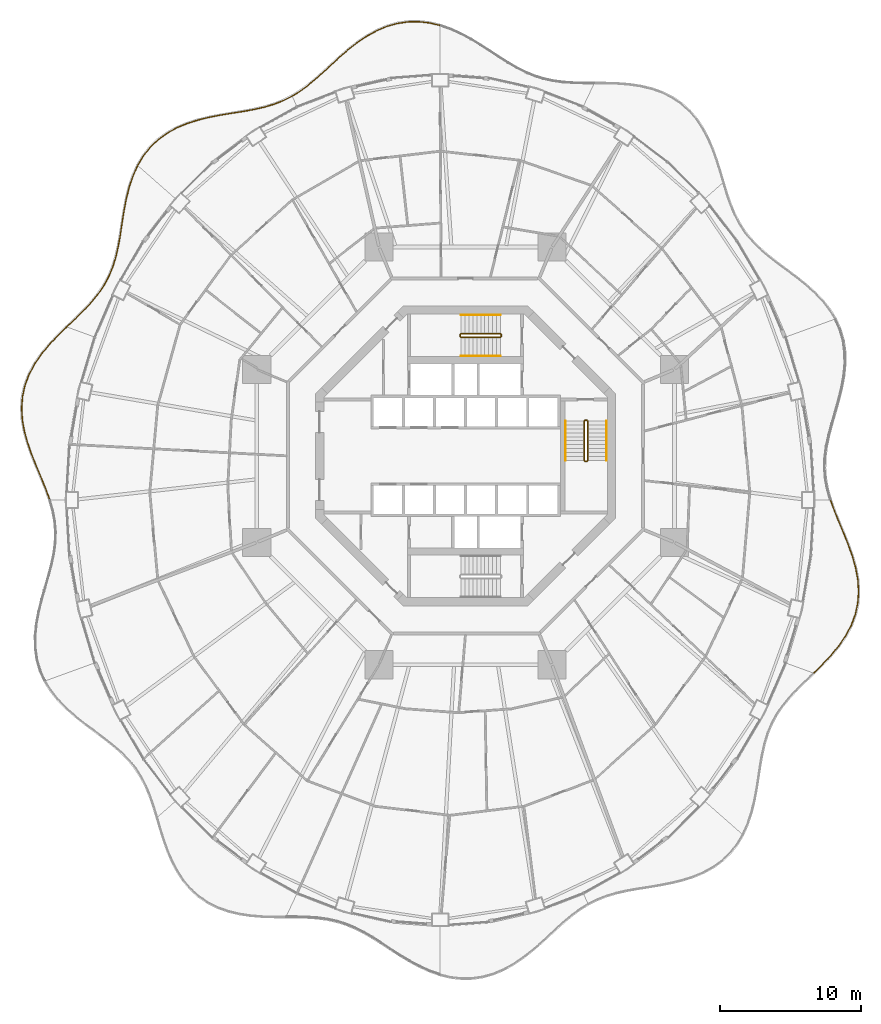
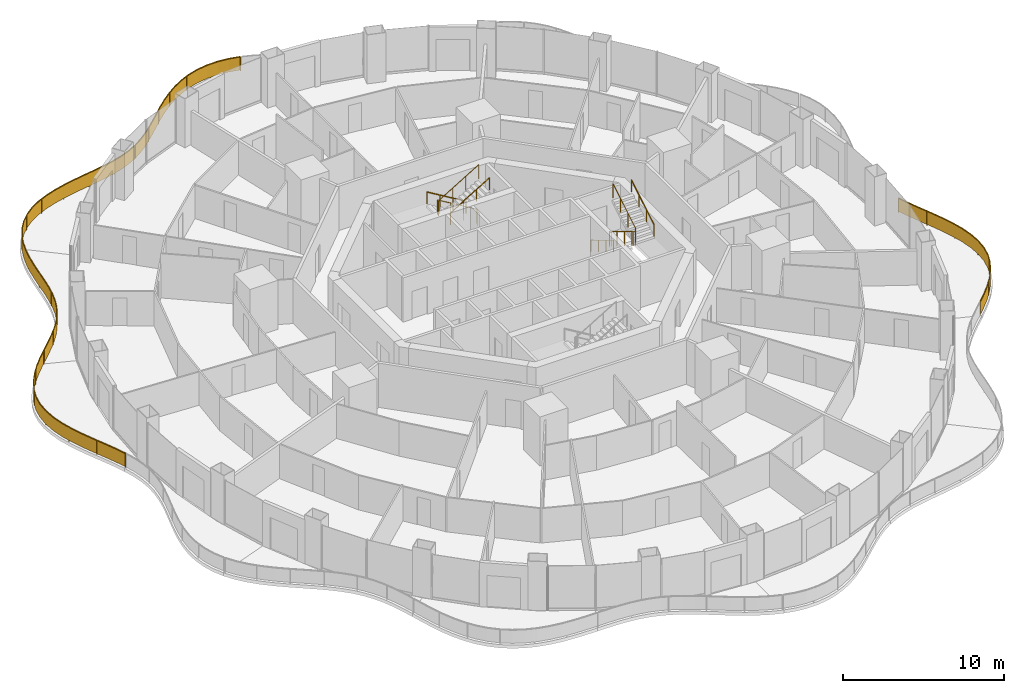
# One storey, part 20 of 21: 11 railings.
"""IFC4 building model written with IfcOpenShell, lengths in metres."""

from ifc_helpers import new_model, si_unit, direction, frame, origin, origin_2d, place, context, subcontext, project, spatial, polyline, rectangle, circle, outline, extrude, material, type_object, element, save


model = new_model("IFC4")

# Units and contexts
model_context = context("Model", 3, precision=1e-05, world=origin(), true_north=direction((0.0, 1.0)))
body_context = subcontext(model_context, "Body", "Model", "MODEL_VIEW")
ifc_project = project(units=[si_unit("LENGTHUNIT", "METRE"), si_unit("AREAUNIT", "SQUARE_METRE"), si_unit("VOLUMEUNIT", "CUBIC_METRE"), si_unit("PLANEANGLEUNIT", "RADIAN"), si_unit("MASSUNIT", "GRAM", prefix="KILO")], contexts=[model_context])

# Site, building, storey
site_placement = place(None, origin())
site = spatial("IfcSite", under=ifc_project, at=site_placement, CompositionType="ELEMENT")
building_placement = place(site_placement, origin())
building = spatial("IfcBuilding", under=site, at=building_placement, Name="Nagisa Residences", CompositionType="ELEMENT")
storey_placement = place(building_placement, frame((0.0, 0.0, 156.60009765625)))
storey = spatial("IfcBuildingStorey", under=building, at=storey_placement, Name="L39", CompositionType="ELEMENT", Elevation=156.60009765625)

# Railings
ifc_material_1 = material(Name="Stainless steel 316", Category="steel")
railing_type_1 = type_object("IfcRailingType", Name="BALCONY GUARD 1100", PredefinedType="BALUSTRADE", material=ifc_material_1)
railing_1_placement = place(storey_placement, frame((-1.837646484375, 30.465576171875, 0.0)))
element("IfcRailing", 1, at=railing_1_placement, inside=storey, type_object=railing_type_1, Name="guard:L39:bal04-0", PredefinedType="BALUSTRADE", context=body_context, shape_type="SweptSolid", body=[
    extrude(outline(polyline([(-0.717529296875, 0.14599609375), (-0.005859375, -0.0244140625), (0.005859375, 0.0244140625), (-0.708740234375, 0.1953125), (-1.4775390625, 0.28271484375), (-2.245361328125, 0.270263671875), (-3.0048828125, 0.156982421875), (-3.74658203125, -0.054443359375), (-4.451904296875, -0.3544921875), (-5.146484375, -0.736328125), (-5.812255859375, -1.182861328125), (-6.448486328125, -1.677001953125), (-7.05712890625, -2.199951171875), (-7.6259765625, -2.72802734375), (-8.19384765625, -3.253173828125), (-8.75244140625, -3.754150390625), (-9.3095703125, -4.217529296875), (-9.874267578125, -4.6328125), (-10.4189453125, -4.972412109375), (-10.392578125, -5.014892578125), (-9.845947265625, -4.67431640625), (-9.27880859375, -4.257080078125), (-8.7197265625, -3.792236328125), (-8.16015625, -3.290283203125), (-7.591796875, -2.7646484375), (-7.02392578125, -2.237060546875), (-6.416748046875, -1.715576171875), (-5.782958984375, -1.223388671875), (-5.12060546875, -0.779296875), (-4.429931640625, -0.3994140625), (-3.72998046875, -0.101806640625), (-2.994140625, 0.108154296875), (-2.241455078125, 0.220458984375), (-1.47998046875, 0.232421875), (-0.717529296875, 0.14599609375)])), frame((0.0, 0.0, 1.050048828125)), (0.0, 0.0, 1.0), 0.050048828125),
    extrude(outline(polyline([(-0.71435546875, 0.163818359375), (-0.001708984375, -0.0068359375), (0.001708984375, 0.0068359375), (-0.7119140625, 0.177490234375), (-1.478515625, 0.2646484375), (-2.243896484375, 0.25244140625), (-3.0009765625, 0.139404296875), (-3.74072265625, -0.071533203125), (-4.444091796875, -0.37060546875), (-5.13720703125, -0.751708984375), (-5.8017578125, -1.197509765625), (-6.43701171875, -1.69091796875), (-7.045166015625, -2.21337890625), (-7.613525390625, -2.7412109375), (-8.181640625, -3.2666015625), (-8.74072265625, -3.767822265625), (-9.298583984375, -4.231689453125), (-9.864013671875, -4.647705078125), (-10.409423828125, -4.98779296875), (-10.402099609375, -4.99951171875), (-9.856201171875, -4.659423828125), (-9.289794921875, -4.242919921875), (-8.7314453125, -3.778564453125), (-8.17236328125, -3.27685546875), (-7.604248046875, -2.75146484375), (-7.035888671875, -2.2236328125), (-6.42822265625, -1.70166015625), (-5.79345703125, -1.208740234375), (-5.1298828125, -0.763916015625), (-4.437744140625, -0.38330078125), (-3.73583984375, -0.084716796875), (-2.998046875, 0.125732421875), (-2.242919921875, 0.23828125), (-1.47900390625, 0.25048828125), (-0.71435546875, 0.163818359375)])), frame((0.0, 0.0, 0.06005859375)), (0.0, 0.0, 1.0), 0.989990234375),
    extrude(rectangle(XDim=0.0400390625, YDim=0.0400390625, at=origin_2d()), origin(), (0.0, 0.0, 1.0), 1.050048828125),
    extrude(rectangle(XDim=0.0400390625, YDim=0.0400390625, at=origin_2d()), frame((-1.996826171875, 0.249267578125, 0.0)), (0.0, 0.0, 1.0), 1.050048828125),
    extrude(rectangle(XDim=0.0400390625, YDim=0.0400390625, at=origin_2d()), frame((-3.961669921875, -0.173095703125, 0.0)), (0.0, 0.0, 1.0), 1.050048828125),
    extrude(rectangle(XDim=0.0400390625, YDim=0.0400390625, at=origin_2d()), frame((-5.723876953125, -1.15380859375, 0.0)), (0.0, 0.0, 1.0), 1.050048828125),
    extrude(rectangle(XDim=0.0400390625, YDim=0.0400390625, at=origin_2d()), frame((-7.28076171875, -2.441650390625, 0.0)), (0.0, 0.0, 1.0), 1.050048828125),
    extrude(rectangle(XDim=0.0400390625, YDim=0.0400390625, at=origin_2d()), frame((-8.77392578125, -3.8046875, 0.0)), (0.0, 0.0, 1.0), 1.050048828125),
    extrude(rectangle(XDim=0.0400390625, YDim=0.0400390625, at=origin_2d()), frame((-10.40576171875, -4.99365234375, 0.0)), (0.0, 0.0, 1.0), 1.050048828125),
])
railing_2_placement = place(storey_placement, frame((-12.302978515625, 25.4375, 0.0)))
element("IfcRailing", 2, at=railing_2_placement, inside=storey, type_object=railing_type_1, Name="guard:L39:bal05-0", PredefinedType="BALUSTRADE", context=body_context, shape_type="SweptSolid", body=[
    extrude(outline(polyline([(-0.58056640625, -0.31982421875), (0.01123046875, -0.0224609375), (-0.01123046875, 0.0224609375), (-0.60107421875, -0.27392578125), (-1.25927734375, -0.53125), (-1.952880859375, -0.7373046875), (-2.68212890625, -0.902587890625), (-3.443603515625, -1.041015625), (-4.21826171875, -1.15966796875), (-5.02392578125, -1.2939453125), (-5.83544921875, -1.45166015625), (-6.638916015625, -1.64892578125), (-7.419677734375, -1.900146484375), (-8.1513671875, -2.205322265625), (-8.844970703125, -2.59326171875), (-9.4755859375, -3.057373046875), (-10.035400390625, -3.596923828125), (-10.518310546875, -4.2080078125), (-10.897216796875, -4.842041015625), (-10.854248046875, -4.867919921875), (-10.476806640625, -4.236328125), (-9.998291015625, -3.630615234375), (-9.443359375, -3.095947265625), (-8.817626953125, -2.63525390625), (-8.12939453125, -2.250244140625), (-7.402587890625, -1.947021484375), (-6.625244140625, -1.697265625), (-5.82470703125, -1.50048828125), (-5.01513671875, -1.34326171875), (-4.21044921875, -1.208984375), (-3.435302734375, -1.09033203125), (-2.671875, -0.951416015625), (-1.940185546875, -0.78564453125), (-1.2431640625, -0.57861328125), (-0.58056640625, -0.31982421875)])), frame((0.0, 0.0, 1.050048828125)), (0.0, 0.0, 1.0), 0.050048828125),
    extrude(outline(polyline([(-0.587890625, -0.30322265625), (0.003173828125, -0.00634765625), (-0.003173828125, 0.00634765625), (-0.59375, -0.29052734375), (-1.25341796875, -0.54833984375), (-1.9482421875, -0.754638671875), (-2.678466796875, -0.920166015625), (-3.440673828125, -1.058837890625), (-4.215576171875, -1.177490234375), (-5.020751953125, -1.311767578125), (-5.83154296875, -1.46923828125), (-6.634033203125, -1.666259765625), (-7.41357421875, -1.9169921875), (-8.1435546875, -2.221435546875), (-8.835205078125, -2.6083984375), (-9.464111328125, -3.0712890625), (-10.02197265625, -3.609130859375), (-10.50341796875, -4.21826171875), (-10.8818359375, -4.851318359375), (-10.86962890625, -4.858642578125), (-10.49169921875, -4.22607421875), (-10.01171875, -3.618408203125), (-9.454833984375, -3.08203125), (-8.827392578125, -2.6201171875), (-8.13720703125, -2.234130859375), (-7.40869140625, -1.93017578125), (-6.630126953125, -1.679931640625), (-5.82861328125, -1.48291015625), (-5.018310546875, -1.325439453125), (-4.213134765625, -1.191162109375), (-3.438232421875, -1.072509765625), (-2.675537109375, -0.933837890625), (-1.94482421875, -0.768310546875), (-1.2490234375, -0.5615234375), (-0.587890625, -0.30322265625)])), frame((0.0, 0.0, 0.06005859375)), (0.0, 0.0, 1.0), 0.989990234375),
    extrude(rectangle(XDim=0.0400390625, YDim=0.0400390625, at=origin_2d()), origin(), (0.0, 0.0, 1.0), 1.050048828125),
    extrude(rectangle(XDim=0.0400390625, YDim=0.0400390625, at=origin_2d()), frame((-1.908935546875, -0.750244140625, 0.0)), (0.0, 0.0, 1.0), 1.050048828125),
    extrude(rectangle(XDim=0.0400390625, YDim=0.0400390625, at=origin_2d()), frame((-3.927001953125, -1.140380859375, 0.0)), (0.0, 0.0, 1.0), 1.050048828125),
    extrude(rectangle(XDim=0.0400390625, YDim=0.0400390625, at=origin_2d()), frame((-5.9501953125, -1.505615234375, 0.0)), (0.0, 0.0, 1.0), 1.050048828125),
    extrude(rectangle(XDim=0.0400390625, YDim=0.0400390625, at=origin_2d()), frame((-7.905517578125, -2.1298828125, 0.0)), (0.0, 0.0, 1.0), 1.050048828125),
    extrude(rectangle(XDim=0.0400390625, YDim=0.0400390625, at=origin_2d()), frame((-9.625244140625, -3.236572265625, 0.0)), (0.0, 0.0, 1.0), 1.050048828125),
    extrude(rectangle(XDim=0.0400390625, YDim=0.0400390625, at=origin_2d()), frame((-10.875732421875, -4.85498046875, 0.0)), (0.0, 0.0, 1.0), 1.050048828125),
])
railing_3_placement = place(storey_placement, frame((-23.2138671875, 20.513671875, 0.0)))
element("IfcRailing", 3, at=railing_3_placement, inside=storey, type_object=railing_type_1, Name="guard:L39:bal06-0", PredefinedType="BALUSTRADE", context=body_context, shape_type="SweptSolid", body=[
    extrude(outline(polyline([(-0.298583984375, -0.72900390625), (0.02294921875, -0.01025390625), (-0.02294921875, 0.01025390625), (-0.345458984375, -0.7109375), (-0.6142578125, -1.518310546875), (-0.82080078125, -2.353515625), (-0.9814453125, -3.199951171875), (-1.114990234375, -4.042724609375), (-1.2333984375, -4.855224609375), (-1.3740234375, -5.651611328125), (-1.546630859375, -6.412109375), (-1.767578125, -7.13232421875), (-2.048828125, -7.8125), (-2.390869140625, -8.442138671875), (-2.808837890625, -9.053955078125), (-3.29296875, -9.64306640625), (-3.83349609375, -10.21875), (-4.416259765625, -10.7919921875), (-4.9921875, -11.340087890625), (-4.95751953125, -11.376220703125), (-4.381591796875, -10.828125), (-3.7978515625, -10.25390625), (-3.25537109375, -9.67626953125), (-2.768798828125, -9.084228515625), (-2.347900390625, -8.468505859375), (-2.00341796875, -7.833984375), (-1.72021484375, -7.1494140625), (-1.498291015625, -6.4248046875), (-1.32470703125, -5.661376953125), (-1.18408203125, -4.863037109375), (-1.065673828125, -4.050048828125), (-0.93212890625, -3.208740234375), (-0.77197265625, -2.3642578125), (-0.56591796875, -1.532470703125), (-0.298583984375, -0.72900390625)])), frame((0.0, 0.0, 1.050048828125)), (0.0, 0.0, 1.0), 0.050048828125),
    extrude(outline(polyline([(-0.3154296875, -0.722412109375), (0.00634765625, -0.0029296875), (-0.00634765625, 0.0029296875), (-0.32861328125, -0.717529296875), (-0.596923828125, -1.5234375), (-0.80322265625, -2.357421875), (-0.963623046875, -3.203125), (-1.09716796875, -4.04541015625), (-1.215576171875, -4.85791015625), (-1.356201171875, -5.655029296875), (-1.529296875, -6.416748046875), (-1.75048828125, -7.138427734375), (-2.032470703125, -7.8203125), (-2.375244140625, -8.45166015625), (-2.79443359375, -9.06494140625), (-3.279541015625, -9.655029296875), (-3.82080078125, -10.2314453125), (-4.40380859375, -10.804931640625), (-4.979736328125, -11.35302734375), (-4.969970703125, -11.36328125), (-4.39404296875, -10.815185546875), (-3.810546875, -10.2412109375), (-3.268798828125, -9.664306640625), (-2.783203125, -9.0732421875), (-2.363525390625, -8.458984375), (-2.019775390625, -7.826171875), (-1.7373046875, -7.143310546875), (-1.515625, -6.420166015625), (-1.342529296875, -5.657958984375), (-1.201904296875, -4.8603515625), (-1.08349609375, -4.04736328125), (-0.949951171875, -3.20556640625), (-0.78955078125, -2.3603515625), (-0.583251953125, -1.52734375), (-0.3154296875, -0.722412109375)])), frame((0.0, 0.0, 0.06005859375)), (0.0, 0.0, 1.0), 0.989990234375),
    extrude(rectangle(XDim=0.0400390625, YDim=0.0400390625, at=origin_2d()), origin(), (0.0, 0.0, 1.0), 1.050048828125),
    extrude(rectangle(XDim=0.0400390625, YDim=0.0400390625, at=origin_2d()), frame((-0.70703125, -1.998046875, 0.0)), (0.0, 0.0, 1.0), 1.050048828125),
    extrude(rectangle(XDim=0.0400390625, YDim=0.0400390625, at=origin_2d()), frame((-1.095947265625, -4.085693359375, 0.0)), (0.0, 0.0, 1.0), 1.050048828125),
    extrude(rectangle(XDim=0.0400390625, YDim=0.0400390625, at=origin_2d()), frame((-1.467529296875, -6.176513671875, 0.0)), (0.0, 0.0, 1.0), 1.050048828125),
    extrude(rectangle(XDim=0.0400390625, YDim=0.0400390625, at=origin_2d()), frame((-2.20849609375, -8.1591796875, 0.0)), (0.0, 0.0, 1.0), 1.050048828125),
    extrude(rectangle(XDim=0.0400390625, YDim=0.0400390625, at=origin_2d()), frame((-3.465576171875, -9.863525390625, 0.0)), (0.0, 0.0, 1.0), 1.050048828125),
    extrude(rectangle(XDim=0.0400390625, YDim=0.0400390625, at=origin_2d()), frame((-4.974853515625, -11.358154296875, 0.0)), (0.0, 0.0, 1.0), 1.050048828125),
])
railing_4_placement = place(storey_placement, frame((-28.24462890625, 9.103515625, 0.0)))
element("IfcRailing", 4, at=railing_4_placement, inside=storey, type_object=railing_type_1, Name="guard:L39:bal07-0", PredefinedType="BALUSTRADE", context=body_context, shape_type="SweptSolid", body=[
    extrude(outline(polyline([(-0.580078125, -0.600830078125), (0.017578125, -0.017822265625), (-0.017578125, 0.017822265625), (-0.61572265625, -0.565673828125), (-1.221435546875, -1.20849609375), (-1.779541015625, -1.883056640625), (-2.2666015625, -2.5927734375), (-2.6630859375, -3.337890625), (-2.950439453125, -4.101806640625), (-3.12646484375, -4.906982421875), (-3.186279296875, -5.732666015625), (-3.134521484375, -6.5712890625), (-2.983154296875, -7.414306640625), (-2.748291015625, -8.240234375), (-2.455078125, -9.0703125), (-2.127197265625, -9.886474609375), (-1.791015625, -10.685791015625), (-1.47265625, -11.468505859375), (-1.20849609375, -12.19580078125), (-1.16162109375, -12.1787109375), (-1.42578125, -11.450439453125), (-1.74462890625, -10.666748046875), (-2.080810546875, -9.867431640625), (-2.408203125, -9.052734375), (-2.700439453125, -8.22509765625), (-2.934326171875, -7.403076171875), (-3.084716796875, -6.5654296875), (-3.135986328125, -5.733154296875), (-3.07666015625, -4.914306640625), (-2.902099609375, -4.115966796875), (-2.6171875, -3.3583984375), (-2.2236328125, -2.61865234375), (-1.739501953125, -1.913330078125), (-1.183837890625, -1.24169921875), (-0.580078125, -0.600830078125)])), frame((0.0, 0.0, 1.050048828125)), (0.0, 0.0, 1.0), 0.050048828125),
    extrude(outline(polyline([(-0.593017578125, -0.588134765625), (0.0048828125, -0.005126953125), (-0.0048828125, 0.005126953125), (-0.602783203125, -0.578369140625), (-1.2080078125, -1.220458984375), (-1.76513671875, -1.89404296875), (-2.251220703125, -2.60205078125), (-2.646484375, -3.34521484375), (-2.93310546875, -4.10693359375), (-3.1083984375, -4.90966796875), (-3.168212890625, -5.73291015625), (-3.11669921875, -6.569091796875), (-2.965576171875, -7.41015625), (-2.73095703125, -8.23486328125), (-2.438232421875, -9.06396484375), (-2.110595703125, -9.879638671875), (-1.774169921875, -10.678955078125), (-1.455810546875, -11.4619140625), (-1.191650390625, -12.189697265625), (-1.178466796875, -12.184814453125), (-1.442626953125, -11.45703125), (-1.761474609375, -10.673583984375), (-2.097412109375, -9.874267578125), (-2.425048828125, -9.05908203125), (-2.7177734375, -8.23046875), (-2.951904296875, -7.4072265625), (-3.1025390625, -6.567626953125), (-3.154052734375, -5.73291015625), (-3.0947265625, -4.91162109375), (-2.91943359375, -4.11083984375), (-2.6337890625, -3.35107421875), (-2.239013671875, -2.609375), (-1.75390625, -1.90234375), (-1.197265625, -1.229736328125), (-0.593017578125, -0.588134765625)])), frame((0.0, 0.0, 0.06005859375)), (0.0, 0.0, 1.0), 0.989990234375),
    extrude(rectangle(XDim=0.0400390625, YDim=0.0400390625, at=origin_2d()), origin(), (0.0, 0.0, 1.0), 1.050048828125),
    extrude(rectangle(XDim=0.0400390625, YDim=0.0400390625, at=origin_2d()), frame((-1.546630859375, -1.640869140625, 0.0)), (0.0, 0.0, 1.0), 1.050048828125),
    extrude(rectangle(XDim=0.0400390625, YDim=0.0400390625, at=origin_2d()), frame((-2.71875, -3.557373046875, 0.0)), (0.0, 0.0, 1.0), 1.050048828125),
    extrude(rectangle(XDim=0.0400390625, YDim=0.0400390625, at=origin_2d()), frame((-3.15966796875, -5.755126953125, 0.0)), (0.0, 0.0, 1.0), 1.050048828125),
    extrude(rectangle(XDim=0.0400390625, YDim=0.0400390625, at=origin_2d()), frame((-2.7978515625, -7.974365234375, 0.0)), (0.0, 0.0, 1.0), 1.050048828125),
    extrude(rectangle(XDim=0.0400390625, YDim=0.0400390625, at=origin_2d()), frame((-2.0146484375, -10.089111328125, 0.0)), (0.0, 0.0, 1.0), 1.050048828125),
    extrude(rectangle(XDim=0.0400390625, YDim=0.0400390625, at=origin_2d()), frame((-1.18505859375, -12.187255859375, 0.0)), (0.0, 0.0, 1.0), 1.050048828125),
])
railing_5_placement = place(storey_placement, frame((24.644775390625, -15.3388671875, 0.0)))
element("IfcRailing", 5, at=railing_5_placement, inside=storey, type_object=railing_type_1, Name="guard:L39:bal15-0", PredefinedType="BALUSTRADE", context=body_context, shape_type="SweptSolid", body=[
    extrude(outline(polyline([(0.579833984375, 0.600830078125), (-0.017578125, 0.017822265625), (0.017578125, -0.017822265625), (0.615478515625, 0.565673828125), (1.221435546875, 1.208251953125), (1.779296875, 1.883056640625), (2.2666015625, 2.5927734375), (2.662841796875, 3.337646484375), (2.9501953125, 4.101806640625), (3.126220703125, 4.906982421875), (3.18603515625, 5.732666015625), (3.13427734375, 6.5712890625), (2.98291015625, 7.414306640625), (2.748046875, 8.240234375), (2.454833984375, 9.0703125), (2.126953125, 9.886474609375), (1.790771484375, 10.685791015625), (1.472412109375, 11.468505859375), (1.208251953125, 12.19580078125), (1.161376953125, 12.1787109375), (1.425537109375, 11.450439453125), (1.744384765625, 10.666748046875), (2.08056640625, 9.867431640625), (2.407958984375, 9.052734375), (2.7001953125, 8.22509765625), (2.93408203125, 7.403076171875), (3.08447265625, 6.5654296875), (3.1357421875, 5.733154296875), (3.076416015625, 4.914306640625), (2.90185546875, 4.115966796875), (2.616943359375, 3.358154296875), (2.2236328125, 2.61865234375), (1.7392578125, 1.913330078125), (1.183837890625, 1.241455078125), (0.579833984375, 0.600830078125)])), frame((0.0, 0.0, 1.050048828125)), (0.0, 0.0, 1.0), 0.050048828125),
    extrude(outline(polyline([(0.5927734375, 0.588134765625), (-0.0048828125, 0.005126953125), (0.0048828125, -0.005126953125), (0.6025390625, 0.578369140625), (1.2080078125, 1.22021484375), (1.764892578125, 1.89404296875), (2.251220703125, 2.60205078125), (2.646240234375, 3.344970703125), (2.932861328125, 4.10693359375), (3.108154296875, 4.90966796875), (3.16796875, 5.73291015625), (3.116455078125, 6.569091796875), (2.96533203125, 7.41015625), (2.730712890625, 8.23486328125), (2.43798828125, 9.06396484375), (2.1103515625, 9.879638671875), (1.77392578125, 10.678955078125), (1.45556640625, 11.4619140625), (1.19140625, 12.189697265625), (1.17822265625, 12.184814453125), (1.4423828125, 11.45703125), (1.76123046875, 10.673583984375), (2.09716796875, 9.874267578125), (2.4248046875, 9.05908203125), (2.717529296875, 8.23046875), (2.95166015625, 7.4072265625), (3.102294921875, 6.567626953125), (3.15380859375, 5.73291015625), (3.094482421875, 4.91162109375), (2.919189453125, 4.11083984375), (2.633544921875, 3.350830078125), (2.239013671875, 2.609375), (1.753662109375, 1.90234375), (1.197265625, 1.2294921875), (0.5927734375, 0.588134765625)])), frame((0.0, 0.0, 0.06005859375)), (0.0, 0.0, 1.0), 0.989990234375),
    extrude(rectangle(XDim=0.0400390625, YDim=0.0400390625, at=origin_2d()), origin(), (0.0, 0.0, 1.0), 1.050048828125),
    extrude(rectangle(XDim=0.0400390625, YDim=0.0400390625, at=origin_2d()), frame((1.54638671875, 1.640869140625, 0.0)), (0.0, 0.0, 1.0), 1.050048828125),
    extrude(rectangle(XDim=0.0400390625, YDim=0.0400390625, at=origin_2d()), frame((2.71875, 3.557373046875, 0.0)), (0.0, 0.0, 1.0), 1.050048828125),
    extrude(rectangle(XDim=0.0400390625, YDim=0.0400390625, at=origin_2d()), frame((3.159423828125, 5.755126953125, 0.0)), (0.0, 0.0, 1.0), 1.050048828125),
    extrude(rectangle(XDim=0.0400390625, YDim=0.0400390625, at=origin_2d()), frame((2.797607421875, 7.974365234375, 0.0)), (0.0, 0.0, 1.0), 1.050048828125),
    extrude(rectangle(XDim=0.0400390625, YDim=0.0400390625, at=origin_2d()), frame((2.014404296875, 10.089111328125, 0.0)), (0.0, 0.0, 1.0), 1.050048828125),
    extrude(rectangle(XDim=0.0400390625, YDim=0.0400390625, at=origin_2d()), frame((1.184814453125, 12.187255859375, 0.0)), (0.0, 0.0, 1.0), 1.050048828125),
])
ifc_material_2 = material(Name="Stainless steel", Category="steel")
railing_type_2 = type_object("IfcRailingType", Name="Stair guard 1100", PredefinedType="GUARDRAIL", material=ifc_material_2)
railing_6_placement = place(storey_placement, frame((8.599609375, 2.52490234375, 0.0)))
element("IfcRailing", 6, at=railing_6_placement, inside=storey, type_object=railing_type_2, Name="L39 ST-E stair guard 1", PredefinedType="GUARDRAIL", context=body_context, shape_type="SweptSolid", body=[
    extrude(circle(Radius=0.02392578125, at=origin_2d()), frame((0.0, 0.0, 1.076171875), z_axis=(-1.0, 0.0, 0.0), x_axis=(0.0, -1.0, 0.0)), (0.0, 0.0, 1.0), 0.14990234375),
    extrude(circle(Radius=0.02392578125, at=origin_2d()), frame((-0.14990234375, 0.0, 1.076171875), z_axis=(-0.274683208305, -0.273343290215, 0.921863645432), x_axis=(0.705375805398, -0.708833529934, 0.0)), (0.0, 0.0, 1.0), 0.18212890625),
    extrude(circle(Radius=0.02392578125, at=origin_2d()), frame((-0.199951171875, -0.0498046875, 1.244140625), z_axis=(0.0, -0.857242210791, 0.514913383045), x_axis=(1.0, 0.0, 0.0)), (0.0, 0.0, 1.0), 3.266357421875),
    extrude(circle(Radius=0.02392578125, at=origin_2d()), frame((-0.199951171875, -2.849853515625, 2.92578125), z_axis=(0.707106781187, -0.707106781187, 0.0), x_axis=(0.707106781187, 0.707106781187, 0.0)), (0.0, 0.0, 1.0), 0.07080078125),
    extrude(circle(Radius=0.02392578125, at=origin_2d()), frame((-0.14990234375, -2.89990234375, 2.92578125), z_axis=(1.0, 0.0, 0.0), x_axis=(0.0, 1.0, 0.0)), (0.0, 0.0, 1.0), 0.14990234375),
    extrude(circle(Radius=0.02392578125, at=origin_2d()), frame((0.0, -2.89990234375, 2.92578125), z_axis=(0.274243871929, 0.274243871929, 0.92172696468), x_axis=(-0.707106781187, 0.707106781187, 0.0)), (0.0, 0.0, 1.0), 0.1826171875),
    extrude(circle(Radius=0.02392578125, at=origin_2d()), frame((0.050048828125, -2.849853515625, 3.09423828125), z_axis=(0.0, 0.857242210791, 0.514913383045), x_axis=(-1.0, 0.0, 0.0)), (0.0, 0.0, 1.0), 3.266357421875),
    extrude(circle(Radius=0.02099609375, at=origin_2d()), origin(), (0.0, 0.0, 1.0), 1.052001953125),
    extrude(circle(Radius=0.02099609375, at=origin_2d()), frame((-0.14990234375, 0.0, 0.0)), (0.0, 0.0, 1.0), 1.052001953125),
    extrude(circle(Radius=0.02099609375, at=origin_2d()), frame((-0.199951171875, -0.0498046875, 0.16796875)), (0.0, 0.0, 1.0), 1.052001953125),
    extrude(circle(Radius=0.02099609375, at=origin_2d()), frame((-0.199951171875, -0.983154296875, 0.728515625)), (0.0, 0.0, 1.0), 1.052001953125),
    extrude(circle(Radius=0.02099609375, at=origin_2d()), frame((-0.199951171875, -1.91650390625, 1.289306640625)), (0.0, 0.0, 1.0), 1.052001953125),
    extrude(circle(Radius=0.02099609375, at=origin_2d()), frame((-0.199951171875, -2.849853515625, 1.849853515625)), (0.0, 0.0, 1.0), 1.052001953125),
    extrude(circle(Radius=0.02099609375, at=origin_2d()), frame((-0.14990234375, -2.89990234375, 1.849853515625)), (0.0, 0.0, 1.0), 1.052001953125),
    extrude(circle(Radius=0.02099609375, at=origin_2d()), frame((0.0, -2.89990234375, 1.849853515625)), (0.0, 0.0, 1.0), 1.052001953125),
    extrude(circle(Radius=0.02099609375, at=origin_2d()), frame((0.050048828125, -2.849853515625, 2.01806640625)), (0.0, 0.0, 1.0), 1.052001953125),
    extrude(circle(Radius=0.02099609375, at=origin_2d()), frame((0.050048828125, -1.91650390625, 2.57861328125)), (0.0, 0.0, 1.0), 1.052001953125),
    extrude(circle(Radius=0.02099609375, at=origin_2d()), frame((0.050048828125, -0.983154296875, 3.139404296875)), (0.0, 0.0, 1.0), 1.052001953125),
    extrude(circle(Radius=0.02099609375, at=origin_2d()), frame((0.050048828125, -0.0498046875, 3.699951171875)), (0.0, 0.0, 1.0), 1.052001953125),
])
railing_7_placement = place(storey_placement, frame((2.52490234375, 8.44970703125, 0.0)))
element("IfcRailing", 7, at=railing_7_placement, inside=storey, type_object=railing_type_2, Name="L39 ST-N stair guard 1", PredefinedType="GUARDRAIL", context=body_context, shape_type="SweptSolid", body=[
    extrude(circle(Radius=0.02392578125, at=origin_2d()), frame((0.0, 0.0, 1.076171875), z_axis=(0.0, 1.0, 0.0), x_axis=(-1.0, 0.0, 0.0)), (0.0, 0.0, 1.0), 0.14990234375),
    extrude(circle(Radius=0.02392578125, at=origin_2d()), frame((0.0, 0.14990234375, 1.076171875), z_axis=(-0.273343290215, 0.274683208305, 0.921863645432), x_axis=(-0.708833529934, -0.705375805398, 0.0)), (0.0, 0.0, 1.0), 0.18212890625),
    extrude(circle(Radius=0.02392578125, at=origin_2d()), frame((-0.0498046875, 0.199951171875, 1.244140625), z_axis=(-0.857242210791, 0.0, 0.514913383045), x_axis=(0.0, -1.0, 0.0)), (0.0, 0.0, 1.0), 3.266357421875),
    extrude(circle(Radius=0.02392578125, at=origin_2d()), frame((-2.849853515625, 0.199951171875, 2.92578125), z_axis=(-0.707106781187, -0.707106781187, 0.0), x_axis=(0.707106781187, -0.707106781187, 0.0)), (0.0, 0.0, 1.0), 0.07080078125),
    extrude(circle(Radius=0.02392578125, at=origin_2d()), frame((-2.89990234375, 0.14990234375, 2.92578125), z_axis=(0.0, -1.0, 0.0), x_axis=(1.0, 0.0, 0.0)), (0.0, 0.0, 1.0), 0.14990234375),
    extrude(circle(Radius=0.02392578125, at=origin_2d()), frame((-2.89990234375, 0.0, 2.92578125), z_axis=(0.274243871929, -0.274243871929, 0.92172696468), x_axis=(0.707106781187, 0.707106781187, 0.0)), (0.0, 0.0, 1.0), 0.1826171875),
    extrude(circle(Radius=0.02392578125, at=origin_2d()), frame((-2.849853515625, -0.050048828125, 3.09423828125), z_axis=(0.857242210791, 0.0, 0.514913383045), x_axis=(0.0, 1.0, 0.0)), (0.0, 0.0, 1.0), 3.266357421875),
    extrude(circle(Radius=0.02099609375, at=origin_2d()), origin(), (0.0, 0.0, 1.0), 1.052001953125),
    extrude(circle(Radius=0.02099609375, at=origin_2d()), frame((0.0, 0.14990234375, 0.0)), (0.0, 0.0, 1.0), 1.052001953125),
    extrude(circle(Radius=0.02099609375, at=origin_2d()), frame((-0.0498046875, 0.199951171875, 0.16796875)), (0.0, 0.0, 1.0), 1.052001953125),
    extrude(circle(Radius=0.02099609375, at=origin_2d()), frame((-0.983154296875, 0.199951171875, 0.728515625)), (0.0, 0.0, 1.0), 1.052001953125),
    extrude(circle(Radius=0.02099609375, at=origin_2d()), frame((-1.91650390625, 0.199951171875, 1.289306640625)), (0.0, 0.0, 1.0), 1.052001953125),
    extrude(circle(Radius=0.02099609375, at=origin_2d()), frame((-2.849853515625, 0.199951171875, 1.849853515625)), (0.0, 0.0, 1.0), 1.052001953125),
    extrude(circle(Radius=0.02099609375, at=origin_2d()), frame((-2.89990234375, 0.14990234375, 1.849853515625)), (0.0, 0.0, 1.0), 1.052001953125),
    extrude(circle(Radius=0.02099609375, at=origin_2d()), frame((-2.89990234375, 0.0, 1.849853515625)), (0.0, 0.0, 1.0), 1.052001953125),
    extrude(circle(Radius=0.02099609375, at=origin_2d()), frame((-2.849853515625, -0.050048828125, 2.01806640625)), (0.0, 0.0, 1.0), 1.052001953125),
    extrude(circle(Radius=0.02099609375, at=origin_2d()), frame((-1.91650390625, -0.050048828125, 2.57861328125)), (0.0, 0.0, 1.0), 1.052001953125),
    extrude(circle(Radius=0.02099609375, at=origin_2d()), frame((-0.983154296875, -0.050048828125, 3.139404296875)), (0.0, 0.0, 1.0), 1.052001953125),
    extrude(circle(Radius=0.02099609375, at=origin_2d()), frame((-0.0498046875, -0.050048828125, 3.699951171875)), (0.0, 0.0, 1.0), 1.052001953125),
])
ifc_material_3 = material(Name="Stainless steel", Category="steel")
railing_type_3 = type_object("IfcRailingType", Name="Stair handrail 900", PredefinedType="HANDRAIL", material=ifc_material_3)
railing_8_placement = place(storey_placement, frame((7.07470703125, 2.47509765625, 0.16796875)))
element("IfcRailing", 8, at=railing_8_placement, inside=storey, type_object=railing_type_3, Name="L39 ST-E stair handrail 1", PredefinedType="HANDRAIL", context=body_context, shape_type="SweptSolid", body=[
    extrude(circle(Radius=0.02392578125, at=origin_2d()), frame((0.0, 0.0, 0.8759765625), z_axis=(0.0, -0.857242210791, 0.514913383045), x_axis=(1.0, 0.0, 0.0)), (0.0, 0.0, 1.0), 3.266357421875),
    extrude(circle(Radius=0.02099609375, at=origin_2d()), origin(), (0.0, 0.0, 1.0), 0.851806640625),
    extrude(circle(Radius=0.02099609375, at=origin_2d()), frame((0.0, -0.933349609375, 0.560546875)), (0.0, 0.0, 1.0), 0.851806640625),
    extrude(circle(Radius=0.02099609375, at=origin_2d()), frame((0.0, -1.86669921875, 1.121337890625)), (0.0, 0.0, 1.0), 0.851806640625),
    extrude(circle(Radius=0.02099609375, at=origin_2d()), frame((0.0, -2.800048828125, 1.681884765625)), (0.0, 0.0, 1.0), 0.851806640625),
])
railing_9_placement = place(storey_placement, frame((9.974609375, -0.324951171875, 2.01806640625)))
element("IfcRailing", 9, at=railing_9_placement, inside=storey, type_object=railing_type_3, Name="L39 ST-E stair handrail 2", PredefinedType="HANDRAIL", context=body_context, shape_type="SweptSolid", body=[
    extrude(circle(Radius=0.02392578125, at=origin_2d()), frame((0.0, 0.0, 0.8759765625), z_axis=(0.0, 0.857242210791, 0.514913383045), x_axis=(-1.0, 0.0, 0.0)), (0.0, 0.0, 1.0), 3.266357421875),
    extrude(circle(Radius=0.02099609375, at=origin_2d()), origin(), (0.0, 0.0, 1.0), 0.851806640625),
    extrude(circle(Radius=0.02099609375, at=origin_2d()), frame((0.0, 0.933349609375, 0.560546875)), (0.0, 0.0, 1.0), 0.851806640625),
    extrude(circle(Radius=0.02099609375, at=origin_2d()), frame((0.0, 1.86669921875, 1.121337890625)), (0.0, 0.0, 1.0), 0.851806640625),
    extrude(circle(Radius=0.02099609375, at=origin_2d()), frame((0.0, 2.800048828125, 1.681884765625)), (0.0, 0.0, 1.0), 0.851806640625),
])
railing_10_placement = place(storey_placement, frame((2.47509765625, 9.974609375, 0.16796875)))
element("IfcRailing", 10, at=railing_10_placement, inside=storey, type_object=railing_type_3, Name="L39 ST-N stair handrail 1", PredefinedType="HANDRAIL", context=body_context, shape_type="SweptSolid", body=[
    extrude(circle(Radius=0.02392578125, at=origin_2d()), frame((0.0, 0.0, 0.8759765625), z_axis=(-0.857242210791, 0.0, 0.514913383045), x_axis=(0.0, -1.0, 0.0)), (0.0, 0.0, 1.0), 3.266357421875),
    extrude(circle(Radius=0.02099609375, at=origin_2d()), origin(), (0.0, 0.0, 1.0), 0.851806640625),
    extrude(circle(Radius=0.02099609375, at=origin_2d()), frame((-0.933349609375, 0.0, 0.560546875)), (0.0, 0.0, 1.0), 0.851806640625),
    extrude(circle(Radius=0.02099609375, at=origin_2d()), frame((-1.86669921875, 0.0, 1.121337890625)), (0.0, 0.0, 1.0), 0.851806640625),
    extrude(circle(Radius=0.02099609375, at=origin_2d()), frame((-2.800048828125, 0.0, 1.681884765625)), (0.0, 0.0, 1.0), 0.851806640625),
])
railing_11_placement = place(storey_placement, frame((-0.324951171875, 7.07470703125, 2.01806640625)))
element("IfcRailing", 11, at=railing_11_placement, inside=storey, type_object=railing_type_3, Name="L39 ST-N stair handrail 2", PredefinedType="HANDRAIL", context=body_context, shape_type="SweptSolid", body=[
    extrude(circle(Radius=0.02392578125, at=origin_2d()), frame((0.0, 0.0, 0.8759765625), z_axis=(0.857242210791, 0.0, 0.514913383045), x_axis=(0.0, 1.0, 0.0)), (0.0, 0.0, 1.0), 3.266357421875),
    extrude(circle(Radius=0.02099609375, at=origin_2d()), origin(), (0.0, 0.0, 1.0), 0.851806640625),
    extrude(circle(Radius=0.02099609375, at=origin_2d()), frame((0.933349609375, 0.0, 0.560546875)), (0.0, 0.0, 1.0), 0.851806640625),
    extrude(circle(Radius=0.02099609375, at=origin_2d()), frame((1.86669921875, 0.0, 1.121337890625)), (0.0, 0.0, 1.0), 0.851806640625),
    extrude(circle(Radius=0.02099609375, at=origin_2d()), frame((2.800048828125, 0.0, 1.681884765625)), (0.0, 0.0, 1.0), 0.851806640625),
])

save(model, "model.ifc")
